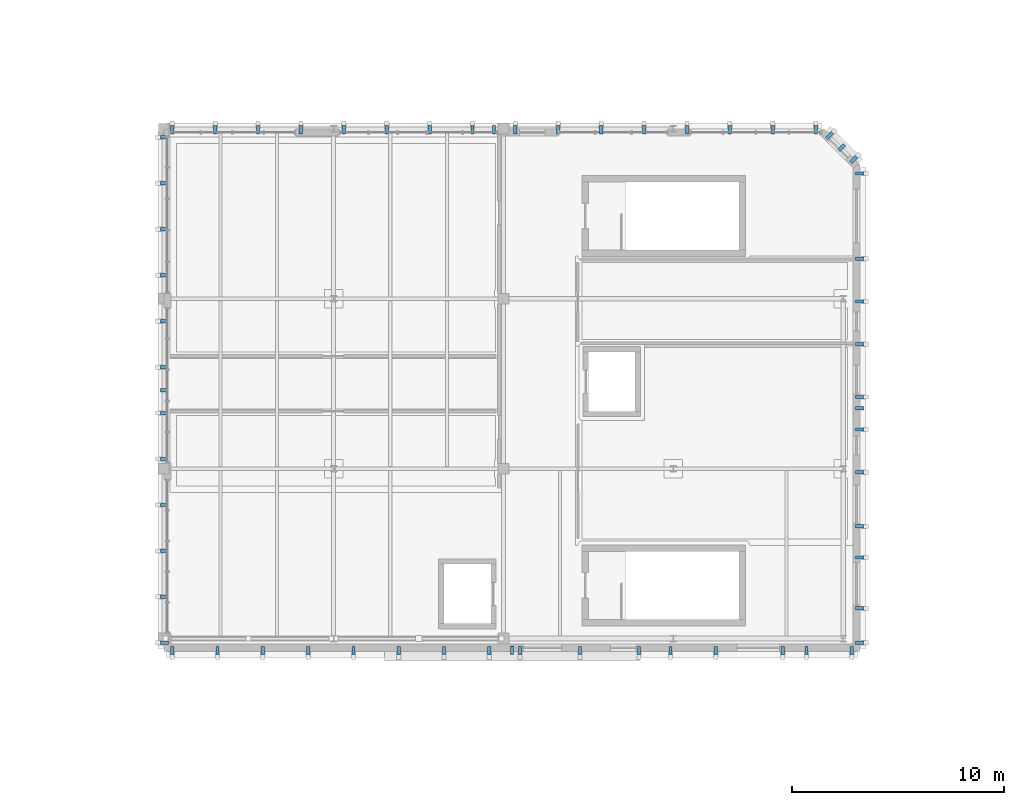
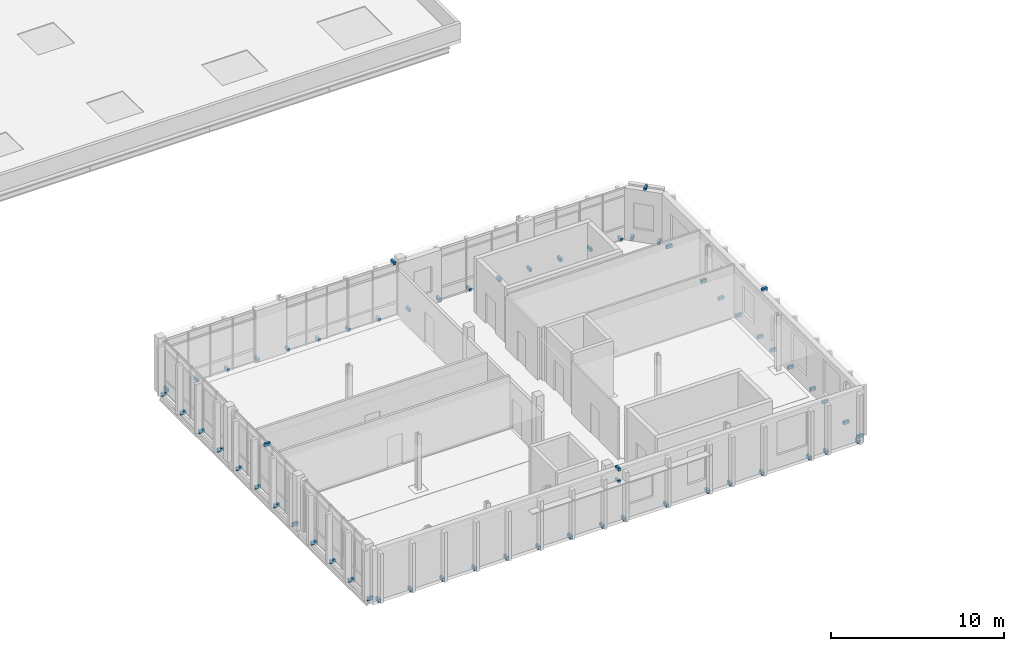
# One storey, part 23 of 28: 63 discrete accessories.
"""IFC4 building model written with IfcOpenShell, lengths in metres."""

from ifc_helpers import new_model, si_unit, direction, frame, origin, origin_2d, place, context, subcontext, project, spatial, rectangle, extrude, material, type_object, element, save


model = new_model("IFC4")

# Units and contexts
model_context = context("Model", 3, precision=1e-05, world=origin(), true_north=direction((0.0, 1.0)))
body_context = subcontext(model_context, "Body", "Model", "MODEL_VIEW")
ifc_project = project(units=[si_unit("LENGTHUNIT", "METRE"), si_unit("AREAUNIT", "SQUARE_METRE"), si_unit("VOLUMEUNIT", "CUBIC_METRE"), si_unit("PLANEANGLEUNIT", "RADIAN"), si_unit("MASSUNIT", "GRAM", prefix="KILO")], contexts=[model_context])

# Site, building, storey
site_placement = place(None, origin())
site = spatial("IfcSite", under=ifc_project, at=site_placement, CompositionType="ELEMENT")
building_placement = place(site_placement, origin())
building = spatial("IfcBuilding", under=site, at=building_placement, Name="Cymarion Research Institute", CompositionType="ELEMENT")
storey_placement = place(building_placement, frame((0.0, 0.0, 30.60009765625)))
storey = spatial("IfcBuildingStorey", under=building, at=storey_placement, Name="L07", CompositionType="ELEMENT", Elevation=30.60009765625)

# Discrete accessories
ifc_material = material(Name="Steel S355", Category="steel")
discrete_accessory_type = type_object("IfcDiscreteAccessoryType", Name="STAINLESS STEEL FACADE FIN BRACKET FBK1", PredefinedType="BRACKET", material=ifc_material)
discrete_accessory_1_placement = place(storey_placement, frame((31.0, 46.93994140625, 3.580078125), z_axis=(0.0, 0.0, 1.0), x_axis=(0.0, -1.0, 0.0)))
element("IfcDiscreteAccessory", 1, at=discrete_accessory_1_placement, inside=storey, type_object=discrete_accessory_type, Name="L07 V4 spandrel brow anchor bracket #1233", PredefinedType="BRACKET", context=body_context, shape_type="SweptSolid", body=[
    extrude(rectangle(XDim=0.3798828125, YDim=0.159912109375, at=origin_2d()), origin(), (0.0, 0.0, 1.0), 0.199951171875),
])
for number, where, z_axis, x_axis, name in (
    (2, (15.0, 46.93994140625, -0.08984375), (0.0, 0.0, 1.0), (0.0, -1.0, 0.0), "L07 V4 vertical rib anchor bracket #1234"),
    (3, (17.13330078125, 46.93994140625, -0.08984375), (0.0, 0.0, 1.0), (0.0, -1.0, 0.0), "L07 V4 vertical rib anchor bracket #1235"),
    (4, (19.2666015625, 46.93994140625, -0.08984375), (0.0, 0.0, 1.0), (0.0, -1.0, 0.0), "L07 V4 vertical rib anchor bracket #1236"),
    (5, (21.39990234375, 46.93994140625, -0.08984375), (0.0, 0.0, 1.0), (0.0, -1.0, 0.0), "L07 V4 vertical rib anchor bracket #1237"),
    (6, (23.533203125, 46.93994140625, -0.08984375), (0.0, 0.0, 1.0), (0.0, -1.0, 0.0), "L07 V4 vertical rib anchor bracket #1238"),
    (7, (25.666748046875, 46.93994140625, -0.08984375), (0.0, 0.0, 1.0), (0.0, -1.0, 0.0), "L07 V4 vertical rib anchor bracket #1239"),
    (8, (27.800048828125, 46.93994140625, -0.08984375), (0.0, 0.0, 1.0), (0.0, -1.0, 0.0), "L07 V4 vertical rib anchor bracket #1240"),
    (9, (29.933349609375, 46.93994140625, -0.08984375), (0.0, 0.0, 1.0), (0.0, -1.0, 0.0), "L07 V4 vertical rib anchor bracket #1241"),
    (10, (31.3798828125, 46.93994140625, -0.08984375), (0.0, 0.0, 1.0), (0.0, -1.0, 0.0), "L07 V4 vertical rib anchor bracket #1242"),
    (11, (34.199951171875, 46.93994140625, -0.08984375), (0.0, 0.0, 1.0), (0.0, -1.0, 0.0), "L07 V4 vertical rib anchor bracket #1243"),
    (12, (36.97998046875, 46.93994140625, -0.08984375), (0.0, 0.0, 1.0), (0.0, -1.0, 0.0), "L07 V4 vertical rib anchor bracket #1244"),
    (13, (38.466796875, 46.93994140625, -0.08984375), (0.0, 0.0, 1.0), (0.0, -1.0, 0.0), "L07 V4 vertical rib anchor bracket #1245"),
    (14, (40.60009765625, 46.93994140625, -0.08984375), (0.0, 0.0, 1.0), (0.0, -1.0, 0.0), "L07 V4 vertical rib anchor bracket #1246"),
    (15, (43.75, 46.93994140625, -0.08984375), (0.0, 0.0, 1.0), (0.0, -1.0, 0.0), "L07 V4 vertical rib anchor bracket #1247"),
    (16, (44.86669921875, 46.93994140625, -0.08984375), (0.0, 0.0, 1.0), (0.0, -1.0, 0.0), "L07 V4 vertical rib anchor bracket #1248"),
    (17, (47.0, 46.93994140625, -0.08984375), (0.0, 0.0, 1.0), (0.0, -1.0, 0.0), "L07 V4 vertical rib anchor bracket #1249"),
):
    element("IfcDiscreteAccessory", number, at=place(storey_placement, frame(where, z_axis=z_axis, x_axis=x_axis)), inside=storey, type_object=discrete_accessory_type, Name=name, PredefinedType="BRACKET", context=body_context, shape_type="SweptSolid", body=[
        extrude(rectangle(XDim=0.3798828125, YDim=0.159912109375, at=origin_2d()), origin(), (0.0, 0.0, 1.0), 0.219970703125),
    ])
discrete_accessory_2_placement = place(storey_placement, frame((31.0, 46.949951171875, 2.72998046875), z_axis=(0.0, 0.0, 1.0), x_axis=(0.0, -1.0, 0.0)))
element("IfcDiscreteAccessory", 18, at=discrete_accessory_2_placement, inside=storey, type_object=discrete_accessory_type, Name="L07 V4 sunshade anchor bracket #15", PredefinedType="BRACKET", context=body_context, shape_type="SweptSolid", body=[
    extrude(rectangle(XDim=0.3798828125, YDim=0.159912109375, at=origin_2d()), origin(), (0.0, 0.0, 1.0), 0.179931640625),
])
discrete_accessory_3_placement = place(storey_placement, frame((47.360107421875, 58.35009765625, 3.580078125), z_axis=(0.0, 0.0, 1.0), x_axis=(1.0, 0.0, 0.0)))
element("IfcDiscreteAccessory", 19, at=discrete_accessory_3_placement, inside=storey, type_object=discrete_accessory_type, Name="L07 V4 spandrel brow anchor bracket #1250", PredefinedType="BRACKET", context=body_context, shape_type="SweptSolid", body=[
    extrude(rectangle(XDim=0.3798828125, YDim=0.159912109375, at=origin_2d()), origin(), (0.0, 0.0, 1.0), 0.199951171875),
])
for number, where, z_axis, x_axis, name in (
    (20, (47.360107421875, 47.300048828125, -0.08984375), (0.0, 0.0, 1.0), (1.0, 0.0, 0.0), "L07 V4 vertical rib anchor bracket #1251"),
    (21, (47.360107421875, 48.919921875, -0.08984375), (0.0, 0.0, 1.0), (1.0, 0.0, 0.0), "L07 V4 vertical rib anchor bracket #1252"),
    (22, (47.360107421875, 51.318115234375, -0.08984375), (0.0, 0.0, 1.0), (1.0, 0.0, 0.0), "L07 V4 vertical rib anchor bracket #1253"),
    (23, (47.360107421875, 52.780029296875, -0.08984375), (0.0, 0.0, 1.0), (1.0, 0.0, 0.0), "L07 V4 vertical rib anchor bracket #1254"),
    (24, (47.360107421875, 55.33642578125, -0.08984375), (0.0, 0.0, 1.0), (1.0, 0.0, 0.0), "L07 V4 vertical rib anchor bracket #1255"),
    (25, (47.360107421875, 57.345458984375, -0.08984375), (0.0, 0.0, 1.0), (1.0, 0.0, 0.0), "L07 V4 vertical rib anchor bracket #1256"),
    (26, (47.360107421875, 58.875, -0.08984375), (0.0, 0.0, 1.0), (1.0, 0.0, 0.0), "L07 V4 vertical rib anchor bracket #1257"),
    (27, (47.360107421875, 61.363525390625, -0.08984375), (0.0, 0.0, 1.0), (1.0, 0.0, 0.0), "L07 V4 vertical rib anchor bracket #1258"),
    (28, (47.360107421875, 63.372802734375, -0.08984375), (0.0, 0.0, 1.0), (1.0, 0.0, 0.0), "L07 V4 vertical rib anchor bracket #1259"),
    (29, (47.360107421875, 65.3818359375, -0.08984375), (0.0, 0.0, 1.0), (1.0, 0.0, 0.0), "L07 V4 vertical rib anchor bracket #1260"),
    (30, (47.360107421875, 69.39990234375, -0.08984375), (0.0, 0.0, 1.0), (1.0, 0.0, 0.0), "L07 V4 vertical rib anchor bracket #1261"),
):
    element("IfcDiscreteAccessory", number, at=place(storey_placement, frame(where, z_axis=z_axis, x_axis=x_axis)), inside=storey, type_object=discrete_accessory_type, Name=name, PredefinedType="BRACKET", context=body_context, shape_type="SweptSolid", body=[
        extrude(rectangle(XDim=0.3798828125, YDim=0.159912109375, at=origin_2d()), origin(), (0.0, 0.0, 1.0), 0.219970703125),
    ])
discrete_accessory_4_placement = place(storey_placement, frame((46.521728515625, 70.62158203125, 3.580078125), z_axis=(0.0, 0.0, 1.0), x_axis=(0.707106781187, 0.707106781187, 0.0)))
element("IfcDiscreteAccessory", 31, at=discrete_accessory_4_placement, inside=storey, type_object=discrete_accessory_type, Name="L07 V4 spandrel brow anchor bracket #1262", PredefinedType="BRACKET", context=body_context, shape_type="SweptSolid", body=[
    extrude(rectangle(XDim=0.3798828125, YDim=0.159912109375, at=origin_2d()), origin(), (0.0, 0.0, 1.0), 0.199951171875),
])
for number, where, z_axis, x_axis, name in (
    (32, (47.0888671875, 70.0546875, -0.08984375), (0.0, 0.0, 1.0), (0.707106781187, 0.707106781187, 0.0), "L07 V4 vertical rib anchor bracket #1263"),
    (33, (45.95458984375, 71.18896484375, -0.08984375), (0.0, 0.0, 1.0), (0.707106781187, 0.707106781187, 0.0), "L07 V4 vertical rib anchor bracket #1264"),
):
    element("IfcDiscreteAccessory", number, at=place(storey_placement, frame(where, z_axis=z_axis, x_axis=x_axis)), inside=storey, type_object=discrete_accessory_type, Name=name, PredefinedType="BRACKET", context=body_context, shape_type="SweptSolid", body=[
        extrude(rectangle(XDim=0.3798828125, YDim=0.159912109375, at=origin_2d()), origin(), (0.0, 0.0, 1.0), 0.219970703125),
    ])
discrete_accessory_5_placement = place(storey_placement, frame((30.14990234375, 71.4599609375, 3.580078125), z_axis=(0.0, 0.0, 1.0), x_axis=(0.0, 1.0, 0.0)))
element("IfcDiscreteAccessory", 34, at=discrete_accessory_5_placement, inside=storey, type_object=discrete_accessory_type, Name="L07 V4 spandrel brow anchor bracket #1265", PredefinedType="BRACKET", context=body_context, shape_type="SweptSolid", body=[
    extrude(rectangle(XDim=0.3798828125, YDim=0.159912109375, at=origin_2d()), origin(), (0.0, 0.0, 1.0), 0.199951171875),
])
for number, where, z_axis, x_axis, name in (
    (35, (45.300048828125, 71.4599609375, -0.08984375), (0.0, 0.0, 1.0), (0.0, 1.0, 0.0), "L07 V4 vertical rib anchor bracket #1266"),
    (36, (43.280029296875, 71.4599609375, -0.08984375), (0.0, 0.0, 1.0), (0.0, 1.0, 0.0), "L07 V4 vertical rib anchor bracket #1267"),
    (37, (41.260009765625, 71.4599609375, -0.08984375), (0.0, 0.0, 1.0), (0.0, 1.0, 0.0), "L07 V4 vertical rib anchor bracket #1268"),
    (38, (39.239990234375, 71.4599609375, -0.08984375), (0.0, 0.0, 1.0), (0.0, 1.0, 0.0), "L07 V4 vertical rib anchor bracket #1269"),
    (39, (37.219970703125, 71.4599609375, -0.08984375), (0.0, 0.0, 1.0), (0.0, 1.0, 0.0), "L07 V4 vertical rib anchor bracket #1270"),
    (40, (35.199951171875, 71.4599609375, -0.08984375), (0.0, 0.0, 1.0), (0.0, 1.0, 0.0), "L07 V4 vertical rib anchor bracket #1271"),
    (41, (33.179931640625, 71.4599609375, -0.08984375), (0.0, 0.0, 1.0), (0.0, 1.0, 0.0), "L07 V4 vertical rib anchor bracket #1272"),
    (42, (31.159912109375, 71.4599609375, -0.08984375), (0.0, 0.0, 1.0), (0.0, 1.0, 0.0), "L07 V4 vertical rib anchor bracket #1273"),
    (43, (29.139892578125, 71.4599609375, -0.08984375), (0.0, 0.0, 1.0), (0.0, 1.0, 0.0), "L07 V4 vertical rib anchor bracket #1274"),
    (44, (27.1201171875, 71.4599609375, -0.08984375), (0.0, 0.0, 1.0), (0.0, 1.0, 0.0), "L07 V4 vertical rib anchor bracket #1275"),
    (45, (25.10009765625, 71.4599609375, -0.08984375), (0.0, 0.0, 1.0), (0.0, 1.0, 0.0), "L07 V4 vertical rib anchor bracket #1276"),
    (46, (23.080078125, 71.4599609375, -0.08984375), (0.0, 0.0, 1.0), (0.0, 1.0, 0.0), "L07 V4 vertical rib anchor bracket #1277"),
    (47, (21.06005859375, 71.4599609375, -0.08984375), (0.0, 0.0, 1.0), (0.0, 1.0, 0.0), "L07 V4 vertical rib anchor bracket #1278"),
    (48, (19.0400390625, 71.4599609375, -0.08984375), (0.0, 0.0, 1.0), (0.0, 1.0, 0.0), "L07 V4 vertical rib anchor bracket #1279"),
    (49, (17.02001953125, 71.4599609375, -0.08984375), (0.0, 0.0, 1.0), (0.0, 1.0, 0.0), "L07 V4 vertical rib anchor bracket #1280"),
    (50, (15.0, 71.4599609375, -0.08984375), (0.0, 0.0, 1.0), (0.0, 1.0, 0.0), "L07 V4 vertical rib anchor bracket #1281"),
):
    element("IfcDiscreteAccessory", number, at=place(storey_placement, frame(where, z_axis=z_axis, x_axis=x_axis)), inside=storey, type_object=discrete_accessory_type, Name=name, PredefinedType="BRACKET", context=body_context, shape_type="SweptSolid", body=[
        extrude(rectangle(XDim=0.3798828125, YDim=0.159912109375, at=origin_2d()), origin(), (0.0, 0.0, 1.0), 0.219970703125),
    ])
discrete_accessory_6_placement = place(storey_placement, frame((14.639892578125, 59.199951171875, 3.580078125), z_axis=(0.0, 0.0, 1.0), x_axis=(-1.0, 0.0, 0.0)))
element("IfcDiscreteAccessory", 51, at=discrete_accessory_6_placement, inside=storey, type_object=discrete_accessory_type, Name="L07 V4 spandrel brow anchor bracket #1282", PredefinedType="BRACKET", context=body_context, shape_type="SweptSolid", body=[
    extrude(rectangle(XDim=0.3798828125, YDim=0.159912109375, at=origin_2d()), origin(), (0.0, 0.0, 1.0), 0.199951171875),
])
for number, where, z_axis, x_axis, name in (
    (52, (14.639892578125, 71.10009765625, -0.08984375), (0.0, 0.0, 1.0), (-1.0, 0.0, 0.0), "L07 V4 vertical rib anchor bracket #1283"),
    (53, (14.639892578125, 68.936279296875, -0.08984375), (0.0, 0.0, 1.0), (-1.0, 0.0, 0.0), "L07 V4 vertical rib anchor bracket #1284"),
    (54, (14.639892578125, 66.772705078125, -0.08984375), (0.0, 0.0, 1.0), (-1.0, 0.0, 0.0), "L07 V4 vertical rib anchor bracket #1285"),
    (55, (14.639892578125, 64.609130859375, -0.08984375), (0.0, 0.0, 1.0), (-1.0, 0.0, 0.0), "L07 V4 vertical rib anchor bracket #1286"),
    (56, (14.639892578125, 62.445556640625, -0.08984375), (0.0, 0.0, 1.0), (-1.0, 0.0, 0.0), "L07 V4 vertical rib anchor bracket #1287"),
    (57, (14.639892578125, 60.28173828125, -0.08984375), (0.0, 0.0, 1.0), (-1.0, 0.0, 0.0), "L07 V4 vertical rib anchor bracket #1288"),
    (58, (14.639892578125, 58.1181640625, -0.08984375), (0.0, 0.0, 1.0), (-1.0, 0.0, 0.0), "L07 V4 vertical rib anchor bracket #1289"),
    (59, (14.639892578125, 55.95458984375, -0.08984375), (0.0, 0.0, 1.0), (-1.0, 0.0, 0.0), "L07 V4 vertical rib anchor bracket #1290"),
    (60, (14.639892578125, 53.791015625, -0.08984375), (0.0, 0.0, 1.0), (-1.0, 0.0, 0.0), "L07 V4 vertical rib anchor bracket #1291"),
    (61, (14.639892578125, 51.627197265625, -0.08984375), (0.0, 0.0, 1.0), (-1.0, 0.0, 0.0), "L07 V4 vertical rib anchor bracket #1292"),
    (62, (14.639892578125, 49.463623046875, -0.08984375), (0.0, 0.0, 1.0), (-1.0, 0.0, 0.0), "L07 V4 vertical rib anchor bracket #1293"),
    (63, (14.639892578125, 47.300048828125, -0.08984375), (0.0, 0.0, 1.0), (-1.0, 0.0, 0.0), "L07 V4 vertical rib anchor bracket #1294"),
):
    element("IfcDiscreteAccessory", number, at=place(storey_placement, frame(where, z_axis=z_axis, x_axis=x_axis)), inside=storey, type_object=discrete_accessory_type, Name=name, PredefinedType="BRACKET", context=body_context, shape_type="SweptSolid", body=[
        extrude(rectangle(XDim=0.3798828125, YDim=0.159912109375, at=origin_2d()), origin(), (0.0, 0.0, 1.0), 0.219970703125),
    ])

save(model, "model.ifc")
